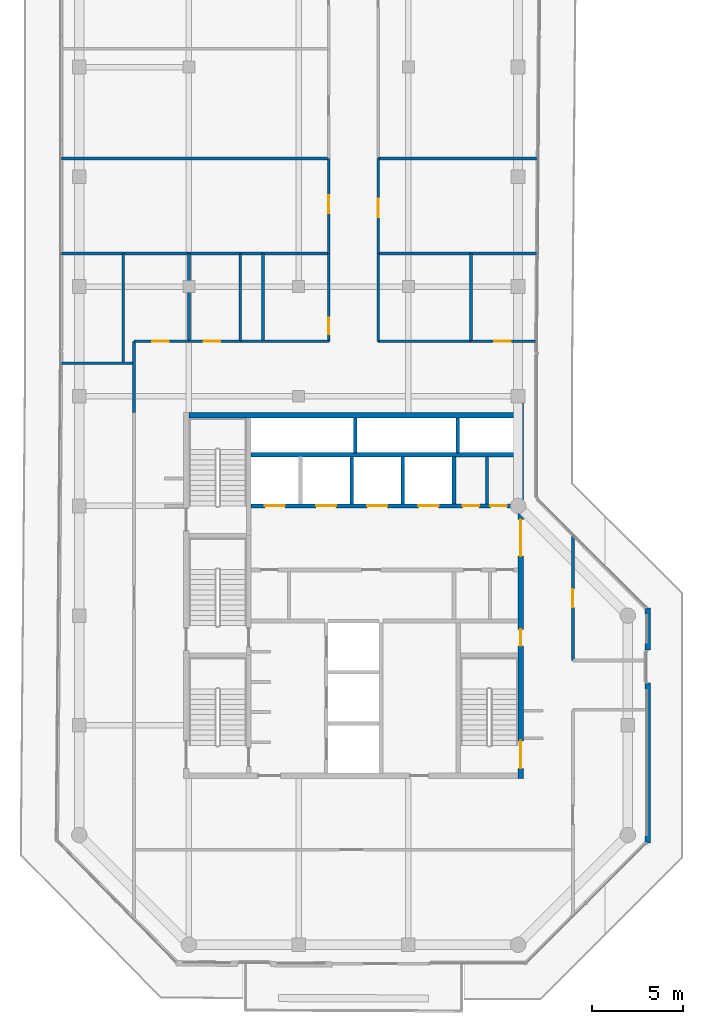
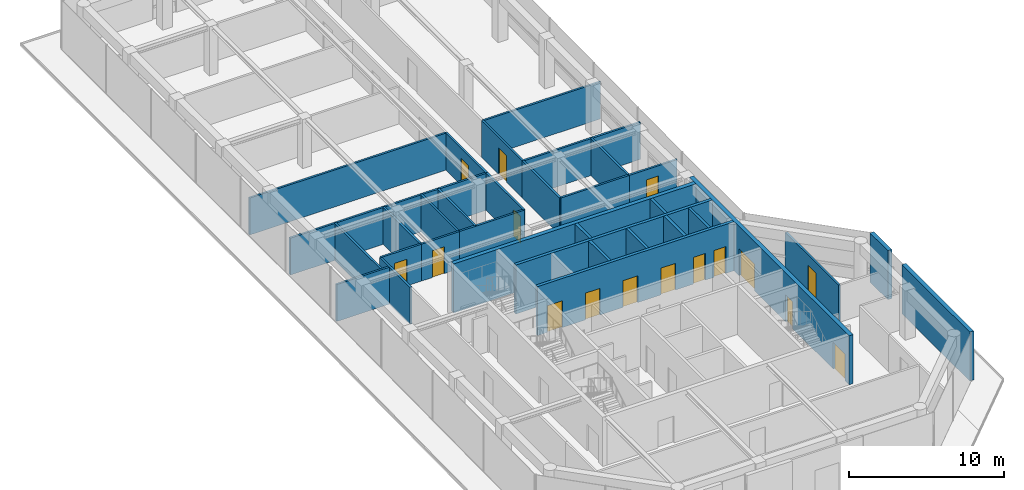
# One storey, part 15 of 18: 33 walls, 16 doors, 16 openings.
"""IFC4 building model written with IfcOpenShell, lengths in metres."""

from ifc_helpers import new_model, si_unit, direction, frame, frame_2d, origin, place, context, subcontext, project, spatial, rectangle, extrude, material, layer, layer_set, type_object, element, fill, save


model = new_model("IFC4")

# Units and contexts
model_context = context("Model", 3, precision=1e-05, world=origin(), true_north=direction((0.0, 1.0)))
body_context = subcontext(model_context, "Body", "Model", "MODEL_VIEW")
ifc_project = project(units=[si_unit("LENGTHUNIT", "METRE"), si_unit("AREAUNIT", "SQUARE_METRE"), si_unit("VOLUMEUNIT", "CUBIC_METRE"), si_unit("PLANEANGLEUNIT", "RADIAN"), si_unit("MASSUNIT", "GRAM", prefix="KILO")], contexts=[model_context])

# Site, building, storey
site_placement = place(None, origin())
site = spatial("IfcSite", under=ifc_project, at=site_placement, CompositionType="ELEMENT")
building_placement = place(site_placement, origin())
building = spatial("IfcBuilding", under=site, at=building_placement, Name="Welwitschia Terrace Campus", CompositionType="ELEMENT")
storey_placement = place(building_placement, frame((0.0, 0.0, 285.199951171875)))
storey = spatial("IfcBuildingStorey", under=building, at=storey_placement, Name="L63", CompositionType="ELEMENT", Elevation=285.199951171875)

# Wall
ifc_material_1 = material(Name="Concrete C32/40", Category="concrete")
ifc_layer_1 = layer(ifc_material_1, 0.175048828125)
ifc_layer_set_1 = layer_set([ifc_layer_1], Name="Concrete C32/40")
wall_type_1 = type_object("IfcWallType", Name="Core partition 175 Concrete C32/40", PredefinedType="PARTITIONING", material=ifc_layer_set_1)
wall_1_placement = place(storey_placement, frame((22.300048828125, 20.10009765625, 0.0), z_axis=(0.0, 0.0, 1.0), x_axis=(0.0, 1.0, 0.0)))
element("IfcWall", 1, at=wall_1_placement, inside=storey, type_object=wall_type_1, Name="Core partition", PredefinedType="PARTITIONING", context=body_context, shape_type="SweptSolid", body=[
    extrude(rectangle(XDim=2.599853515625, YDim=0.175048828125, at=frame_2d((1.2998046875, 0.0))), origin(), (0.0, 0.0, 1.0), 3.85009765625),
])

# Wall, openings, doors
ifc_material_2 = material(Name="Concrete C32/40", Category="concrete")
ifc_layer_2 = layer(ifc_material_2, 0.22509765625)
ifc_layer_set_2 = layer_set([ifc_layer_2], Name="Concrete C32/40")
wall_type_2 = type_object("IfcWallType", Name="Core partition 225 Concrete C32/40", PredefinedType="PARTITIONING", material=ifc_layer_set_2)
wall_2_placement = place(storey_placement, frame((24.0, 20.0, 0.0), z_axis=(0.0, 0.0, 1.0), x_axis=(-1.0, 0.0, 0.0)))
wall_2 = element("IfcWall", 2, at=wall_2_placement, inside=storey, type_object=wall_type_2, Name="Shaft wall", PredefinedType="PARTITIONING", context=body_context, shape_type="SweptSolid", body=[
    extrude(rectangle(XDim=14.60009765625, YDim=0.22509765625, at=frame_2d((7.300048828125, 0.0))), origin(), (0.0, 0.0, 1.0), 3.85009765625),
])
opening_1_placement = place(wall_2_placement, frame((12.75, 0.0, 0.0)))
opening_1 = element("IfcOpeningElement", 3, at=opening_1_placement, cuts=wall_2, Name="Opening LD", PredefinedType="OPENING", context=body_context, shape_type="SweptSolid", body=[
    extrude(rectangle(XDim=1.10009765625, YDim=2.10009765625, at=frame_2d((0.550048828125, 1.050048828125))), frame((0.0, 0.12255859375, 0.0), z_axis=(0.0, -1.0, 0.0), x_axis=(1.0, 0.0, 0.0)), (0.0, 0.0, 1.0), 0.2451171875),
])
opening_2_placement = place(wall_2_placement, frame((9.949951171875, 0.0, 0.0)))
opening_2 = element("IfcOpeningElement", 4, at=opening_2_placement, cuts=wall_2, Name="Opening LD", PredefinedType="OPENING", context=body_context, shape_type="SweptSolid", body=[
    extrude(rectangle(XDim=1.10009765625, YDim=2.10009765625, at=frame_2d((0.550048828125, 1.050048828125))), frame((0.0, 0.12255859375, 0.0), z_axis=(0.0, -1.0, 0.0), x_axis=(1.0, 0.0, 0.0)), (0.0, 0.0, 1.0), 0.2451171875),
])
opening_3_placement = place(wall_2_placement, frame((7.14990234375, 0.0, 0.0)))
opening_3 = element("IfcOpeningElement", 5, at=opening_3_placement, cuts=wall_2, Name="Opening LD", PredefinedType="OPENING", context=body_context, shape_type="SweptSolid", body=[
    extrude(rectangle(XDim=1.10009765625, YDim=2.10009765625, at=frame_2d((0.550048828125, 1.050048828125))), frame((0.0, 0.12255859375, 0.0), z_axis=(0.0, -1.0, 0.0), x_axis=(1.0, 0.0, 0.0)), (0.0, 0.0, 1.0), 0.2451171875),
])
opening_4_placement = place(wall_2_placement, frame((4.35009765625, 0.0, 0.0)))
opening_4 = element("IfcOpeningElement", 6, at=opening_4_placement, cuts=wall_2, Name="Opening LD", PredefinedType="OPENING", context=body_context, shape_type="SweptSolid", body=[
    extrude(rectangle(XDim=1.10009765625, YDim=2.10009765625, at=frame_2d((0.550048828125, 1.050048828125))), frame((0.0, 0.12255859375, 0.0), z_axis=(0.0, -1.0, 0.0), x_axis=(1.0, 0.0, 0.0)), (0.0, 0.0, 1.0), 0.2451171875),
])
opening_5_placement = place(wall_2_placement, frame((2.137451171875, 0.0, 0.0)))
opening_5 = element("IfcOpeningElement", 7, at=opening_5_placement, cuts=wall_2, Name="Opening DR09", PredefinedType="OPENING", context=body_context, shape_type="SweptSolid", body=[
    extrude(rectangle(XDim=0.89990234375, YDim=2.10009765625, at=frame_2d((0.449951171875, 1.050048828125))), frame((0.0, 0.12255859375, 0.0), z_axis=(0.0, -1.0, 0.0), x_axis=(1.0, 0.0, 0.0)), (0.0, 0.0, 1.0), 0.2451171875),
])
opening_6_placement = place(wall_2_placement, frame((0.612060546875, 0.0, 0.0)))
opening_6 = element("IfcOpeningElement", 8, at=opening_6_placement, cuts=wall_2, Name="Opening DR09", PredefinedType="OPENING", context=body_context, shape_type="SweptSolid", body=[
    extrude(rectangle(XDim=0.89990234375, YDim=2.10009765625, at=frame_2d((0.449951171875, 1.050048828125))), frame((0.0, 0.12255859375, 0.0), z_axis=(0.0, -1.0, 0.0), x_axis=(1.0, 0.0, 0.0)), (0.0, 0.0, 1.0), 0.2451171875),
])
ifc_material_3 = material(Name="Steel S275", Category="steel")
door_type_1 = type_object("IfcDoorType", Name="Core door DR09", OperationType="SINGLE_SWING_LEFT", PredefinedType="DOOR", material=ifc_material_3)
door_1_placement = place(opening_5_placement, origin())
door_1 = element("IfcDoor", 9, at=door_1_placement, inside=storey, type_object=door_type_1, Name="Door EH1-D", OperationType="SINGLE_SWING_LEFT", OverallHeight=2.10009765625, OverallWidth=0.89990234375, PredefinedType="DOOR", context=body_context, shape_type="SweptSolid", body=[
    extrude(rectangle(XDim=0.89990234375, YDim=2.10009765625, at=frame_2d((0.449951171875, 1.050048828125))), frame((0.0, 0.02490234375, 0.0), z_axis=(0.0, -1.0, 0.0), x_axis=(1.0, 0.0, 0.0)), (0.0, 0.0, 1.0), 0.050048828125),
])
fill(opening_5, door_1)
door_2_placement = place(opening_6_placement, origin())
door_2 = element("IfcDoor", 10, at=door_2_placement, inside=storey, type_object=door_type_1, Name="Door EH2-D", OperationType="SINGLE_SWING_LEFT", OverallHeight=2.10009765625, OverallWidth=0.89990234375, PredefinedType="DOOR", context=body_context, shape_type="SweptSolid", body=[
    extrude(rectangle(XDim=0.89990234375, YDim=2.10009765625, at=frame_2d((0.449951171875, 1.050048828125))), frame((0.0, 0.02490234375, 0.0), z_axis=(0.0, -1.0, 0.0), x_axis=(1.0, 0.0, 0.0)), (0.0, 0.0, 1.0), 0.050048828125),
])
fill(opening_6, door_2)
ifc_material_4 = material(Name="Stainless steel 304", Category="steel")
door_type_2 = type_object("IfcDoorType", Name="Lift landing door", OperationType="DOUBLE_DOOR_SLIDING", PredefinedType="DOOR", material=ifc_material_4)
door_3_placement = place(opening_1_placement, origin())
door_3 = element("IfcDoor", 11, at=door_3_placement, inside=storey, type_object=door_type_2, Name="Landing door HR1", OperationType="DOUBLE_DOOR_SLIDING", OverallHeight=2.10009765625, OverallWidth=1.10009765625, PredefinedType="DOOR", context=body_context, shape_type="SweptSolid", body=[
    extrude(rectangle(XDim=1.10009765625, YDim=2.10009765625, at=frame_2d((0.550048828125, 1.050048828125))), frame((0.0, 0.02490234375, 0.0), z_axis=(0.0, -1.0, 0.0), x_axis=(1.0, 0.0, 0.0)), (0.0, 0.0, 1.0), 0.050048828125),
])
fill(opening_1, door_3)
door_4_placement = place(opening_2_placement, origin())
door_4 = element("IfcDoor", 12, at=door_4_placement, inside=storey, type_object=door_type_2, Name="Landing door HR2", OperationType="DOUBLE_DOOR_SLIDING", OverallHeight=2.10009765625, OverallWidth=1.10009765625, PredefinedType="DOOR", context=body_context, shape_type="SweptSolid", body=[
    extrude(rectangle(XDim=1.10009765625, YDim=2.10009765625, at=frame_2d((0.550048828125, 1.050048828125))), frame((0.0, 0.02490234375, 0.0), z_axis=(0.0, -1.0, 0.0), x_axis=(1.0, 0.0, 0.0)), (0.0, 0.0, 1.0), 0.050048828125),
])
fill(opening_2, door_4)
door_5_placement = place(opening_3_placement, origin())
door_5 = element("IfcDoor", 13, at=door_5_placement, inside=storey, type_object=door_type_2, Name="Landing door HR3", OperationType="DOUBLE_DOOR_SLIDING", OverallHeight=2.10009765625, OverallWidth=1.10009765625, PredefinedType="DOOR", context=body_context, shape_type="SweptSolid", body=[
    extrude(rectangle(XDim=1.10009765625, YDim=2.10009765625, at=frame_2d((0.550048828125, 1.050048828125))), frame((0.0, 0.02490234375, 0.0), z_axis=(0.0, -1.0, 0.0), x_axis=(1.0, 0.0, 0.0)), (0.0, 0.0, 1.0), 0.050048828125),
])
fill(opening_3, door_5)
door_6_placement = place(opening_4_placement, origin())
door_6 = element("IfcDoor", 14, at=door_6_placement, inside=storey, type_object=door_type_2, Name="Landing door HR4", OperationType="DOUBLE_DOOR_SLIDING", OverallHeight=2.10009765625, OverallWidth=1.10009765625, PredefinedType="DOOR", context=body_context, shape_type="SweptSolid", body=[
    extrude(rectangle(XDim=1.10009765625, YDim=2.10009765625, at=frame_2d((0.550048828125, 1.050048828125))), frame((0.0, 0.02490234375, 0.0), z_axis=(0.0, -1.0, 0.0), x_axis=(1.0, 0.0, 0.0)), (0.0, 0.0, 1.0), 0.050048828125),
])
fill(opening_4, door_6)

# Walls
wall_3_placement = place(storey_placement, frame((9.39990234375, 22.800048828125, 0.0), z_axis=(0.0, 0.0, 1.0), x_axis=(1.0, 0.0, 0.0)))
element("IfcWall", 15, at=wall_3_placement, inside=storey, type_object=wall_type_2, Name="Shaft wall", PredefinedType="PARTITIONING", context=body_context, shape_type="SweptSolid", body=[
    extrude(rectangle(XDim=14.60009765625, YDim=0.22509765625, at=frame_2d((7.300048828125, 0.0))), origin(), (0.0, 0.0, 1.0), 3.85009765625),
])
wall_4_placement = place(storey_placement, frame((20.5, 20.10009765625, 0.0), z_axis=(0.0, 0.0, 1.0), x_axis=(0.0, 1.0, 0.0)))
element("IfcWall", 16, at=wall_4_placement, inside=storey, type_object=wall_type_2, Name="Shaft wall", PredefinedType="PARTITIONING", context=body_context, shape_type="SweptSolid", body=[
    extrude(rectangle(XDim=2.599853515625, YDim=0.22509765625, at=frame_2d((1.2998046875, 0.0))), origin(), (0.0, 0.0, 1.0), 3.85009765625),
])
ifc_material_5 = material(Name="Concrete C50/60", Category="concrete")
ifc_layer_3 = layer(ifc_material_5, 0.199951171875)
ifc_layer_set_3 = layer_set([ifc_layer_3], Name="Concrete C50/60")
wall_type_3 = type_object("IfcWallType", Name="Core wall 200 Concrete C50/60", PredefinedType="SHEAR", material=ifc_layer_set_3)
for number, where, z_axis, x_axis, name in (
    (17, (15.10009765625, 22.89990234375, 0.0), (0.0, 0.0, 1.0), (0.0, 1.0, 0.0), "Core wall"),
    (18, (20.699951171875, 22.89990234375, 0.0), (0.0, 0.0, 1.0), (0.0, 1.0, 0.0), "Core wall"),
):
    element("IfcWall", number, at=place(storey_placement, frame(where, z_axis=z_axis, x_axis=x_axis)), inside=storey, type_object=wall_type_3, Name=name, PredefinedType="SHEAR", context=body_context, shape_type="SweptSolid", body=[
        extrude(rectangle(XDim=1.900146484375, YDim=0.199951171875, at=frame_2d((0.9501953125, 0.0))), origin(), (0.0, 0.0, 1.0), 3.85009765625),
    ])

# Wall, openings, doors
ifc_material_6 = material(Name="Concrete C50/60", Category="concrete")
ifc_layer_4 = layer(ifc_material_6, 0.300048828125)
ifc_layer_set_4 = layer_set([ifc_layer_4], Name="Concrete C50/60")
wall_type_4 = type_object("IfcWallType", Name="Core wall 300 Concrete C50/60", PredefinedType="SHEAR", material=ifc_layer_set_4)
wall_5_placement = place(storey_placement, frame((24.14990234375, 25.655029296875, 0.0), z_axis=(0.0, 0.0, 1.0), x_axis=(0.0, -1.0, 0.0)))
wall_5 = element("IfcWall", 19, at=wall_5_placement, inside=storey, type_object=wall_type_4, Name="Core outer wall", PredefinedType="SHEAR", context=body_context, shape_type="SweptSolid", body=[
    extrude(rectangle(XDim=20.554931640625, YDim=0.300048828125, at=frame_2d((10.27734375, 0.0))), origin(), (0.0, 0.0, 1.0), 3.85009765625),
])
opening_7_placement = place(wall_5_placement, frame((18.5048828125, 0.0, 0.0)))
opening_7 = element("IfcOpeningElement", 20, at=opening_7_placement, cuts=wall_5, Name="Opening DS15", PredefinedType="OPENING", context=body_context, shape_type="SweptSolid", body=[
    extrude(rectangle(XDim=1.5, YDim=2.10009765625, at=frame_2d((0.75, 1.050048828125))), frame((0.0, 0.159912109375, 0.0), z_axis=(0.0, -1.0, 0.0), x_axis=(1.0, 0.0, 0.0)), (0.0, 0.0, 1.0), 0.320068359375),
])
opening_8_placement = place(wall_5_placement, frame((12.405029296875, 0.0, 0.0)))
opening_8 = element("IfcOpeningElement", 21, at=opening_8_placement, cuts=wall_5, Name="Opening DR09", PredefinedType="OPENING", context=body_context, shape_type="SweptSolid", body=[
    extrude(rectangle(XDim=0.89990234375, YDim=2.10009765625, at=frame_2d((0.449951171875, 1.050048828125))), frame((0.0, 0.159912109375, 0.0), z_axis=(0.0, -1.0, 0.0), x_axis=(1.0, 0.0, 0.0)), (0.0, 0.0, 1.0), 0.320068359375),
])
opening_9_placement = place(wall_5_placement, frame((6.405029296875, 0.0, 0.0)))
opening_9 = element("IfcOpeningElement", 22, at=opening_9_placement, cuts=wall_5, Name="Opening DL20", PredefinedType="OPENING", context=body_context, shape_type="SweptSolid", body=[
    extrude(rectangle(XDim=2.0, YDim=2.10009765625, at=frame_2d((1.0, 1.050048828125))), frame((0.0, 0.159912109375, 0.0), z_axis=(0.0, -1.0, 0.0), x_axis=(1.0, 0.0, 0.0)), (0.0, 0.0, 1.0), 0.320068359375),
])
ifc_material_7 = material(Name="Steel S275", Category="steel")
door_type_3 = type_object("IfcDoorType", Name="Core door DL20", OperationType="DOUBLE_DOOR_SINGLE_SWING", PredefinedType="DOOR", material=ifc_material_7)
door_7_placement = place(opening_9_placement, origin())
door_7 = element("IfcDoor", 23, at=door_7_placement, inside=storey, type_object=door_type_3, Name="Door LOBBY-out", OperationType="DOUBLE_DOOR_SINGLE_SWING", OverallHeight=2.10009765625, OverallWidth=2.0, PredefinedType="DOOR", context=body_context, shape_type="SweptSolid", body=[
    extrude(rectangle(XDim=2.0, YDim=2.10009765625, at=frame_2d((1.0, 1.050048828125))), frame((0.0, 0.02490234375, 0.0), z_axis=(0.0, -1.0, 0.0), x_axis=(1.0, 0.0, 0.0)), (0.0, 0.0, 1.0), 0.050048828125),
])
fill(opening_9, door_7)
door_8_placement = place(opening_8_placement, origin())
door_8 = element("IfcDoor", 24, at=door_8_placement, inside=storey, type_object=door_type_1, Name="Door F1B-out", OperationType="SINGLE_SWING_RIGHT", OverallHeight=2.10009765625, OverallWidth=0.89990234375, PredefinedType="DOOR", context=body_context, shape_type="SweptSolid", body=[
    extrude(rectangle(XDim=0.89990234375, YDim=2.10009765625, at=frame_2d((0.449951171875, 1.050048828125))), frame((0.0, 0.02490234375, 0.0), z_axis=(0.0, -1.0, 0.0), x_axis=(1.0, 0.0, 0.0)), (0.0, 0.0, 1.0), 0.050048828125),
])
fill(opening_8, door_8)
ifc_material_8 = material(Name="Steel S275", Category="steel")
door_type_4 = type_object("IfcDoorType", Name="Core door DS15", OperationType="DOUBLE_DOOR_SINGLE_SWING", PredefinedType="DOOR", material=ifc_material_8)
door_9_placement = place(opening_7_placement, origin())
door_9 = element("IfcDoor", 25, at=door_9_placement, inside=storey, type_object=door_type_4, Name="Door S2-out", OperationType="DOUBLE_DOOR_SINGLE_SWING", OverallHeight=2.10009765625, OverallWidth=1.5, PredefinedType="DOOR", context=body_context, shape_type="SweptSolid", body=[
    extrude(rectangle(XDim=1.5, YDim=2.10009765625, at=frame_2d((0.75, 1.050048828125))), frame((0.0, 0.02490234375, 0.0), z_axis=(0.0, -1.0, 0.0), x_axis=(1.0, 0.0, 0.0)), (0.0, 0.0, 1.0), 0.050048828125),
])
fill(opening_7, door_9)

# Walls
wall_6_placement = place(storey_placement, frame((6.0, 24.949951171875, 0.0), z_axis=(0.0, 0.0, 1.0), x_axis=(1.0, 0.0, 0.0)))
element("IfcWall", 26, at=wall_6_placement, inside=storey, type_object=wall_type_4, Name="Core outer wall", PredefinedType="SHEAR", context=body_context, shape_type="SweptSolid", body=[
    extrude(rectangle(XDim=18.0, YDim=0.300048828125, at=frame_2d((9.0, 0.0))), origin(), (0.0, 0.0, 1.0), 3.85009765625),
])
ifc_material_9 = material(Name="Gypsum board on steel studs", Category="steel")
ifc_layer_5 = layer(ifc_material_9, 0.14990234375)
ifc_layer_set_5 = layer_set([ifc_layer_5], Name="Gypsum board on steel studs")
wall_type_5 = type_object("IfcWallType", Name="Corridor partition 150 EI 30", PredefinedType="PARTITIONING", material=ifc_layer_set_5)
wall_7_placement = place(storey_placement, frame((-0.989990234375, 27.800048828125, 0.0), z_axis=(0.0, 0.0, 1.0), x_axis=(1.0, 0.0, 0.0)))
element("IfcWall", 27, at=wall_7_placement, inside=storey, type_object=wall_type_5, Name="Partition", PredefinedType="PARTITIONING", context=body_context, shape_type="SweptSolid", body=[
    extrude(rectangle(XDim=3.989990234375, YDim=0.14990234375, at=frame_2d((1.9951171875, 0.0))), origin(), (0.0, 0.0, 1.0), 2.900146484375),
])
for number, where, z_axis, x_axis, name in (
    (28, (-0.97998046875, 33.800048828125, 0.0), (0.0, 0.0, 1.0), (1.0, 0.0, 0.0), "Partition"),
    (29, (-0.97998046875, 39.0, 0.0), (0.0, 0.0, 1.0), (1.0, 0.0, 0.0), "Partition"),
):
    element("IfcWall", number, at=place(storey_placement, frame(where, z_axis=z_axis, x_axis=x_axis)), inside=storey, type_object=wall_type_5, Name=name, PredefinedType="PARTITIONING", context=body_context, shape_type="SweptSolid", body=[
        extrude(rectangle(XDim=14.6298828125, YDim=0.14990234375, at=frame_2d((7.31494140625, 0.0))), origin(), (0.0, 0.0, 1.0), 2.900146484375),
    ])
wall_8_placement = place(storey_placement, frame((2.39990234375, 27.800048828125, 0.0), z_axis=(0.0, 0.0, 1.0), x_axis=(0.0, 1.0, 0.0)))
element("IfcWall", 30, at=wall_8_placement, inside=storey, type_object=wall_type_5, Name="Partition", PredefinedType="PARTITIONING", context=body_context, shape_type="SweptSolid", body=[
    extrude(rectangle(XDim=6.0, YDim=0.14990234375, at=frame_2d((3.0, 0.0))), origin(), (0.0, 0.0, 1.0), 2.900146484375),
])
wall_9_placement = place(storey_placement, frame((3.0, 25.10009765625, 0.0), z_axis=(0.0, 0.0, 1.0), x_axis=(0.0, 1.0, 0.0)))
element("IfcWall", 31, at=wall_9_placement, inside=storey, type_object=wall_type_5, Name="Partition", PredefinedType="PARTITIONING", context=body_context, shape_type="SweptSolid", body=[
    extrude(rectangle(XDim=3.89990234375, YDim=0.14990234375, at=frame_2d((1.949951171875, 0.0))), origin(), (0.0, 0.0, 1.0), 2.900146484375),
])

# Wall, opening, door
wall_10_placement = place(storey_placement, frame((3.0, 29.0, 0.0), z_axis=(0.0, 0.0, 1.0), x_axis=(1.0, 0.0, 0.0)))
wall_10 = element("IfcWall", 32, at=wall_10_placement, inside=storey, type_object=wall_type_5, Name="Partition", PredefinedType="PARTITIONING", context=body_context, shape_type="SweptSolid", body=[
    extrude(rectangle(XDim=3.0, YDim=0.14990234375, at=frame_2d((1.5, 0.0))), origin(), (0.0, 0.0, 1.0), 2.900146484375),
])
opening_10_placement = place(wall_10_placement, frame((1.0, 0.0, 0.0)))
opening_10 = element("IfcOpeningElement", 33, at=opening_10_placement, cuts=wall_10, Name="Opening DI09", PredefinedType="OPENING", context=body_context, shape_type="SweptSolid", body=[
    extrude(rectangle(XDim=0.89990234375, YDim=2.10009765625, at=frame_2d((0.449951171875, 1.050048828125))), frame((0.0, 0.0849609375, 0.0), z_axis=(0.0, -1.0, 0.0), x_axis=(1.0, 0.0, 0.0)), (0.0, 0.0, 1.0), 0.169921875),
])
ifc_material_10 = material(Name="Timber veneered door", Category="wood")
door_type_5 = type_object("IfcDoorType", Name="Interior door DI09", OperationType="NOTDEFINED", PredefinedType="DOOR", material=ifc_material_10)
door_10_placement = place(opening_10_placement, origin())
door_10 = element("IfcDoor", 34, at=door_10_placement, inside=storey, type_object=door_type_5, Name="Door L63 1121", OperationType="SINGLE_SWING_RIGHT", OverallHeight=2.10009765625, OverallWidth=0.89990234375, PredefinedType="DOOR", context=body_context, shape_type="SweptSolid", body=[
    extrude(rectangle(XDim=0.89990234375, YDim=2.10009765625, at=frame_2d((0.449951171875, 1.050048828125))), frame((0.0, 0.02490234375, 0.0), z_axis=(0.0, -1.0, 0.0), x_axis=(1.0, 0.0, 0.0)), (0.0, 0.0, 1.0), 0.050048828125),
])
fill(opening_10, door_10)

# Wall
wall_11_placement = place(storey_placement, frame((6.0, 29.0, 0.0), z_axis=(0.0, 0.0, 1.0), x_axis=(0.0, 1.0, 0.0)))
element("IfcWall", 35, at=wall_11_placement, inside=storey, type_object=wall_type_5, Name="Partition", PredefinedType="PARTITIONING", context=body_context, shape_type="SweptSolid", body=[
    extrude(rectangle(XDim=4.800048828125, YDim=0.14990234375, at=frame_2d((2.39990234375, 0.0))), origin(), (0.0, 0.0, 1.0), 2.900146484375),
])

# Wall, opening, door
wall_12_placement = place(storey_placement, frame((6.0, 29.0, 0.0), z_axis=(0.0, 0.0, 1.0), x_axis=(1.0, 0.0, 0.0)))
wall_12 = element("IfcWall", 36, at=wall_12_placement, inside=storey, type_object=wall_type_5, Name="Partition", PredefinedType="PARTITIONING", context=body_context, shape_type="SweptSolid", body=[
    extrude(rectangle(XDim=2.800048828125, YDim=0.14990234375, at=frame_2d((1.39990234375, 0.0))), origin(), (0.0, 0.0, 1.0), 2.900146484375),
])
opening_11_placement = place(wall_12_placement, frame((0.800048828125, 0.0, 0.0)))
opening_11 = element("IfcOpeningElement", 37, at=opening_11_placement, cuts=wall_12, Name="Opening DI09", PredefinedType="OPENING", context=body_context, shape_type="SweptSolid", body=[
    extrude(rectangle(XDim=0.89990234375, YDim=2.10009765625, at=frame_2d((0.449951171875, 1.050048828125))), frame((0.0, 0.0849609375, 0.0), z_axis=(0.0, -1.0, 0.0), x_axis=(1.0, 0.0, 0.0)), (0.0, 0.0, 1.0), 0.169921875),
])
door_11_placement = place(opening_11_placement, origin())
door_11 = element("IfcDoor", 38, at=door_11_placement, inside=storey, type_object=door_type_5, Name="Door L63 1122", OperationType="SINGLE_SWING_LEFT", OverallHeight=2.10009765625, OverallWidth=0.89990234375, PredefinedType="DOOR", context=body_context, shape_type="SweptSolid", body=[
    extrude(rectangle(XDim=0.89990234375, YDim=2.10009765625, at=frame_2d((0.449951171875, 1.050048828125))), frame((0.0, 0.02490234375, 0.0), z_axis=(0.0, -1.0, 0.0), x_axis=(1.0, 0.0, 0.0)), (0.0, 0.0, 1.0), 0.050048828125),
])
fill(opening_11, door_11)

# Walls
wall_13_placement = place(storey_placement, frame((8.800048828125, 29.0, 0.0), z_axis=(0.0, 0.0, 1.0), x_axis=(0.0, 1.0, 0.0)))
element("IfcWall", 39, at=wall_13_placement, inside=storey, type_object=wall_type_5, Name="Partition", PredefinedType="PARTITIONING", context=body_context, shape_type="SweptSolid", body=[
    extrude(rectangle(XDim=4.800048828125, YDim=0.14990234375, at=frame_2d((2.39990234375, 0.0))), origin(), (0.0, 0.0, 1.0), 2.900146484375),
])
wall_14_placement = place(storey_placement, frame((8.800048828125, 29.0, 0.0), z_axis=(0.0, 0.0, 1.0), x_axis=(1.0, 0.0, 0.0)))
element("IfcWall", 40, at=wall_14_placement, inside=storey, type_object=wall_type_5, Name="Partition", PredefinedType="PARTITIONING", context=body_context, shape_type="SweptSolid", body=[
    extrude(rectangle(XDim=4.849853515625, YDim=0.14990234375, at=frame_2d((2.4248046875, 0.0))), origin(), (0.0, 0.0, 1.0), 2.900146484375),
])
wall_15_placement = place(storey_placement, frame((10.050048828125, 29.0, 0.0), z_axis=(0.0, 0.0, 1.0), x_axis=(0.0, 1.0, 0.0)))
element("IfcWall", 41, at=wall_15_placement, inside=storey, type_object=wall_type_5, Name="Partition", PredefinedType="PARTITIONING", context=body_context, shape_type="SweptSolid", body=[
    extrude(rectangle(XDim=4.800048828125, YDim=0.14990234375, at=frame_2d((2.39990234375, 0.0))), origin(), (0.0, 0.0, 1.0), 2.900146484375),
])

# Wall, opening, door
wall_16_placement = place(storey_placement, frame((13.64990234375, 29.0, 0.0), z_axis=(0.0, 0.0, 1.0), x_axis=(0.0, 1.0, 0.0)))
wall_16 = element("IfcWall", 42, at=wall_16_placement, inside=storey, type_object=wall_type_5, Name="Partition", PredefinedType="PARTITIONING", context=body_context, shape_type="SweptSolid", body=[
    extrude(rectangle(XDim=4.800048828125, YDim=0.14990234375, at=frame_2d((2.39990234375, 0.0))), origin(), (0.0, 0.0, 1.0), 2.900146484375),
])
opening_12_placement = place(wall_16_placement, frame((0.39990234375, 0.0, 0.0)))
opening_12 = element("IfcOpeningElement", 43, at=opening_12_placement, cuts=wall_16, Name="Opening DI09", PredefinedType="OPENING", context=body_context, shape_type="SweptSolid", body=[
    extrude(rectangle(XDim=0.89990234375, YDim=2.10009765625, at=frame_2d((0.449951171875, 1.050048828125))), frame((0.0, 0.0849609375, 0.0), z_axis=(0.0, -1.0, 0.0), x_axis=(1.0, 0.0, 0.0)), (0.0, 0.0, 1.0), 0.169921875),
])
door_12_placement = place(opening_12_placement, origin())
door_12 = element("IfcDoor", 44, at=door_12_placement, inside=storey, type_object=door_type_5, Name="Door L63 1123", OperationType="SINGLE_SWING_RIGHT", OverallHeight=2.10009765625, OverallWidth=0.89990234375, PredefinedType="DOOR", context=body_context, shape_type="SweptSolid", body=[
    extrude(rectangle(XDim=0.89990234375, YDim=2.10009765625, at=frame_2d((0.449951171875, 1.050048828125))), frame((0.0, 0.02490234375, 0.0), z_axis=(0.0, -1.0, 0.0), x_axis=(1.0, 0.0, 0.0)), (0.0, 0.0, 1.0), 0.050048828125),
])
fill(opening_12, door_12)

wall_17_placement = place(storey_placement, frame((13.64990234375, 33.800048828125, 0.0), z_axis=(0.0, 0.0, 1.0), x_axis=(0.0, 1.0, 0.0)))
wall_17 = element("IfcWall", 45, at=wall_17_placement, inside=storey, type_object=wall_type_5, Name="Partition", PredefinedType="PARTITIONING", context=body_context, shape_type="SweptSolid", body=[
    extrude(rectangle(XDim=5.199951171875, YDim=0.14990234375, at=frame_2d((2.60009765625, 0.0))), origin(), (0.0, 0.0, 1.0), 2.900146484375),
])
opening_13_placement = place(wall_17_placement, frame((2.199951171875, 0.0, 0.0)))
opening_13 = element("IfcOpeningElement", 46, at=opening_13_placement, cuts=wall_17, Name="Opening DI10", PredefinedType="OPENING", context=body_context, shape_type="SweptSolid", body=[
    extrude(rectangle(XDim=1.0, YDim=2.10009765625, at=frame_2d((0.5, 1.050048828125))), frame((0.0, 0.0849609375, 0.0), z_axis=(0.0, -1.0, 0.0), x_axis=(1.0, 0.0, 0.0)), (0.0, 0.0, 1.0), 0.169921875),
])
ifc_material_11 = material(Name="Timber veneered door", Category="wood")
door_type_6 = type_object("IfcDoorType", Name="Interior door DI10", OperationType="NOTDEFINED", PredefinedType="DOOR", material=ifc_material_11)
door_13_placement = place(opening_13_placement, origin())
door_13 = element("IfcDoor", 47, at=door_13_placement, inside=storey, type_object=door_type_6, Name="Door L63 1124", OperationType="SINGLE_SWING_LEFT", OverallHeight=2.10009765625, OverallWidth=1.0, PredefinedType="DOOR", context=body_context, shape_type="SweptSolid", body=[
    extrude(rectangle(XDim=1.0, YDim=2.10009765625, at=frame_2d((0.5, 1.050048828125))), frame((0.0, 0.02490234375, 0.0), z_axis=(0.0, -1.0, 0.0), x_axis=(1.0, 0.0, 0.0)), (0.0, 0.0, 1.0), 0.050048828125),
])
fill(opening_13, door_13)

# Walls
wall_18_placement = place(storey_placement, frame((16.35009765625, 29.0, 0.0), z_axis=(0.0, 0.0, 1.0), x_axis=(0.0, 1.0, 0.0)))
element("IfcWall", 48, at=wall_18_placement, inside=storey, type_object=wall_type_5, Name="Partition", PredefinedType="PARTITIONING", context=body_context, shape_type="SweptSolid", body=[
    extrude(rectangle(XDim=4.800048828125, YDim=0.14990234375, at=frame_2d((2.39990234375, 0.0))), origin(), (0.0, 0.0, 1.0), 2.900146484375),
])
wall_19_placement = place(storey_placement, frame((16.35009765625, 29.0, 0.0), z_axis=(0.0, 0.0, 1.0), x_axis=(1.0, 0.0, 0.0)))
element("IfcWall", 49, at=wall_19_placement, inside=storey, type_object=wall_type_5, Name="Partition", PredefinedType="PARTITIONING", context=body_context, shape_type="SweptSolid", body=[
    extrude(rectangle(XDim=5.079833984375, YDim=0.14990234375, at=frame_2d((2.5400390625, 0.0))), origin(), (0.0, 0.0, 1.0), 2.900146484375),
])
wall_20_placement = place(storey_placement, frame((16.35009765625, 33.800048828125, 0.0), z_axis=(0.0, 0.0, 1.0), x_axis=(1.0, 0.0, 0.0)))
element("IfcWall", 50, at=wall_20_placement, inside=storey, type_object=wall_type_5, Name="Partition", PredefinedType="PARTITIONING", context=body_context, shape_type="SweptSolid", body=[
    extrude(rectangle(XDim=8.679931640625, YDim=0.14990234375, at=frame_2d((4.33984375, 0.0))), origin(), (0.0, 0.0, 1.0), 2.900146484375),
])

# Wall, opening, door
wall_21_placement = place(storey_placement, frame((16.35009765625, 39.0, 0.0), z_axis=(0.0, 0.0, 1.0), x_axis=(0.0, -1.0, 0.0)))
wall_21 = element("IfcWall", 51, at=wall_21_placement, inside=storey, type_object=wall_type_5, Name="Partition", PredefinedType="PARTITIONING", context=body_context, shape_type="SweptSolid", body=[
    extrude(rectangle(XDim=5.199951171875, YDim=0.14990234375, at=frame_2d((2.60009765625, 0.0))), origin(), (0.0, 0.0, 1.0), 2.900146484375),
])
opening_14_placement = place(wall_21_placement, frame((2.199951171875, 0.0, 0.0)))
opening_14 = element("IfcOpeningElement", 52, at=opening_14_placement, cuts=wall_21, Name="Opening DI10", PredefinedType="OPENING", context=body_context, shape_type="SweptSolid", body=[
    extrude(rectangle(XDim=1.0, YDim=2.10009765625, at=frame_2d((0.5, 1.050048828125))), frame((0.0, 0.0849609375, 0.0), z_axis=(0.0, -1.0, 0.0), x_axis=(1.0, 0.0, 0.0)), (0.0, 0.0, 1.0), 0.169921875),
])
door_14_placement = place(opening_14_placement, origin())
door_14 = element("IfcDoor", 53, at=door_14_placement, inside=storey, type_object=door_type_6, Name="Door L63 1129", OperationType="SINGLE_SWING_RIGHT", OverallHeight=2.10009765625, OverallWidth=1.0, PredefinedType="DOOR", context=body_context, shape_type="SweptSolid", body=[
    extrude(rectangle(XDim=1.0, YDim=2.10009765625, at=frame_2d((0.5, 1.050048828125))), frame((0.0, 0.02490234375, 0.0), z_axis=(0.0, -1.0, 0.0), x_axis=(1.0, 0.0, 0.0)), (0.0, 0.0, 1.0), 0.050048828125),
])
fill(opening_14, door_14)

# Walls
wall_22_placement = place(storey_placement, frame((16.35009765625, 39.0, 0.0), z_axis=(0.0, 0.0, 1.0), x_axis=(1.0, 0.0, 0.0)))
element("IfcWall", 54, at=wall_22_placement, inside=storey, type_object=wall_type_5, Name="Partition", PredefinedType="PARTITIONING", context=body_context, shape_type="SweptSolid", body=[
    extrude(rectangle(XDim=8.719970703125, YDim=0.14990234375, at=frame_2d((4.35986328125, 0.0))), origin(), (0.0, 0.0, 1.0), 2.900146484375),
])
wall_23_placement = place(storey_placement, frame((21.429931640625, 29.0, 0.0), z_axis=(0.0, 0.0, 1.0), x_axis=(0.0, 1.0, 0.0)))
element("IfcWall", 55, at=wall_23_placement, inside=storey, type_object=wall_type_5, Name="Partition", PredefinedType="PARTITIONING", context=body_context, shape_type="SweptSolid", body=[
    extrude(rectangle(XDim=4.800048828125, YDim=0.14990234375, at=frame_2d((2.39990234375, 0.0))), origin(), (0.0, 0.0, 1.0), 2.900146484375),
])

# Wall, opening, door
wall_24_placement = place(storey_placement, frame((21.429931640625, 29.0, 0.0), z_axis=(0.0, 0.0, 1.0), x_axis=(1.0, 0.0, 0.0)))
wall_24 = element("IfcWall", 56, at=wall_24_placement, inside=storey, type_object=wall_type_5, Name="Partition", PredefinedType="PARTITIONING", context=body_context, shape_type="SweptSolid", body=[
    extrude(rectangle(XDim=3.56005859375, YDim=0.14990234375, at=frame_2d((1.780029296875, 0.0))), origin(), (0.0, 0.0, 1.0), 2.900146484375),
])
opening_15_placement = place(wall_24_placement, frame((1.260009765625, 0.0, 0.0)))
opening_15 = element("IfcOpeningElement", 57, at=opening_15_placement, cuts=wall_24, Name="Opening DI09", PredefinedType="OPENING", context=body_context, shape_type="SweptSolid", body=[
    extrude(rectangle(XDim=0.89990234375, YDim=2.10009765625, at=frame_2d((0.449951171875, 1.050048828125))), frame((0.0, 0.0849609375, 0.0), z_axis=(0.0, -1.0, 0.0), x_axis=(1.0, 0.0, 0.0)), (0.0, 0.0, 1.0), 0.169921875),
])
door_15_placement = place(opening_15_placement, origin())
door_15 = element("IfcDoor", 58, at=door_15_placement, inside=storey, type_object=door_type_5, Name="Door L63 1132", OperationType="SINGLE_SWING_LEFT", OverallHeight=2.10009765625, OverallWidth=0.89990234375, PredefinedType="DOOR", context=body_context, shape_type="SweptSolid", body=[
    extrude(rectangle(XDim=0.89990234375, YDim=2.10009765625, at=frame_2d((0.449951171875, 1.050048828125))), frame((0.0, 0.02490234375, 0.0), z_axis=(0.0, -1.0, 0.0), x_axis=(1.0, 0.0, 0.0)), (0.0, 0.0, 1.0), 0.050048828125),
])
fill(opening_15, door_15)

wall_25_placement = place(storey_placement, frame((27.0, 18.3798828125, 0.0), z_axis=(0.0, 0.0, 1.0), x_axis=(0.0, -1.0, 0.0)))
wall_25 = element("IfcWall", 59, at=wall_25_placement, inside=storey, type_object=wall_type_5, Name="Partition", PredefinedType="PARTITIONING", context=body_context, shape_type="SweptSolid", body=[
    extrude(rectangle(XDim=6.829833984375, YDim=0.14990234375, at=frame_2d((3.4150390625, 0.0))), origin(), (0.0, 0.0, 1.0), 2.900146484375),
])
opening_16_placement = place(wall_25_placement, frame((2.929931640625, 0.0, 0.0)))
opening_16 = element("IfcOpeningElement", 60, at=opening_16_placement, cuts=wall_25, Name="Opening DI10", PredefinedType="OPENING", context=body_context, shape_type="SweptSolid", body=[
    extrude(rectangle(XDim=1.0, YDim=2.10009765625, at=frame_2d((0.5, 1.050048828125))), frame((0.0, 0.0849609375, 0.0), z_axis=(0.0, -1.0, 0.0), x_axis=(1.0, 0.0, 0.0)), (0.0, 0.0, 1.0), 0.169921875),
])
door_16_placement = place(opening_16_placement, origin())
door_16 = element("IfcDoor", 61, at=door_16_placement, inside=storey, type_object=door_type_6, Name="Door L63 1135", OperationType="SINGLE_SWING_RIGHT", OverallHeight=2.10009765625, OverallWidth=1.0, PredefinedType="DOOR", context=body_context, shape_type="SweptSolid", body=[
    extrude(rectangle(XDim=1.0, YDim=2.10009765625, at=frame_2d((0.5, 1.050048828125))), frame((0.0, 0.02490234375, 0.0), z_axis=(0.0, -1.0, 0.0), x_axis=(1.0, 0.0, 0.0)), (0.0, 0.0, 1.0), 0.050048828125),
])
fill(opening_16, door_16)

# Walls
ifc_material_12 = material(Name="Concrete C40/50", Category="concrete")
ifc_layer_6 = layer(ifc_material_12, 0.300048828125)
ifc_layer_set_6 = layer_set([ifc_layer_6], Name="Concrete C40/50")
wall_type_6 = type_object("IfcWallType", Name="Mass wall 300", PredefinedType="SOLIDWALL", material=ifc_layer_set_6)
wall_26_placement = place(storey_placement, frame((31.07958984375, 1.573486328125, 0.0), z_axis=(0.0, 0.0, 1.0), x_axis=(0.0, 1.0, 0.0)))
element("IfcWall", 62, at=wall_26_placement, inside=storey, type_object=wall_type_6, Name="Mass wall L63.7.0", PredefinedType="SOLIDWALL", context=body_context, shape_type="SweptSolid", body=[
    extrude(rectangle(XDim=8.73974609375, YDim=0.300048828125, at=frame_2d((4.369873046875, 0.0))), origin(), (0.0, 0.0, 1.0), 3.85009765625),
])
wall_27_placement = place(storey_placement, frame((31.07958984375, 12.11328125, 0.0), z_axis=(0.0, 0.0, 1.0), x_axis=(0.0, 1.0, 0.0)))
element("IfcWall", 63, at=wall_27_placement, inside=storey, type_object=wall_type_6, Name="Mass wall L63.7.1", PredefinedType="SOLIDWALL", context=body_context, shape_type="SweptSolid", body=[
    extrude(rectangle(XDim=2.313232421875, YDim=0.300048828125, at=frame_2d((1.15673828125, 0.0))), origin(), (0.0, 0.0, 1.0), 3.85009765625),
])
ifc_material_13 = material(Name="Concrete C32/40", Category="concrete")
ifc_layer_7 = layer(ifc_material_13, 0.199951171875)
ifc_layer_set_7 = layer_set([ifc_layer_7], Name="Concrete C32/40")
wall_type_7 = type_object("IfcWallType", Name="Shaft wall 200 Concrete C32/40", PredefinedType="SOLIDWALL", material=ifc_layer_set_7)
for number, where, z_axis, x_axis, name in (
    (64, (14.89990234375, 20.10009765625, 0.0), (0.0, 0.0, 1.0), (0.0, 1.0, 0.0), "Shaft wall"),
    (65, (17.699951171875, 20.10009765625, 0.0), (0.0, 0.0, 1.0), (0.0, 1.0, 0.0), "Shaft wall"),
):
    element("IfcWall", number, at=place(storey_placement, frame(where, z_axis=z_axis, x_axis=x_axis)), inside=storey, type_object=wall_type_7, Name=name, PredefinedType="SOLIDWALL", context=body_context, shape_type="SweptSolid", body=[
        extrude(rectangle(XDim=2.599853515625, YDim=0.199951171875, at=frame_2d((1.2998046875, 0.0))), origin(), (0.0, 0.0, 1.0), 3.85009765625),
    ])

save(model, "model.ifc")
